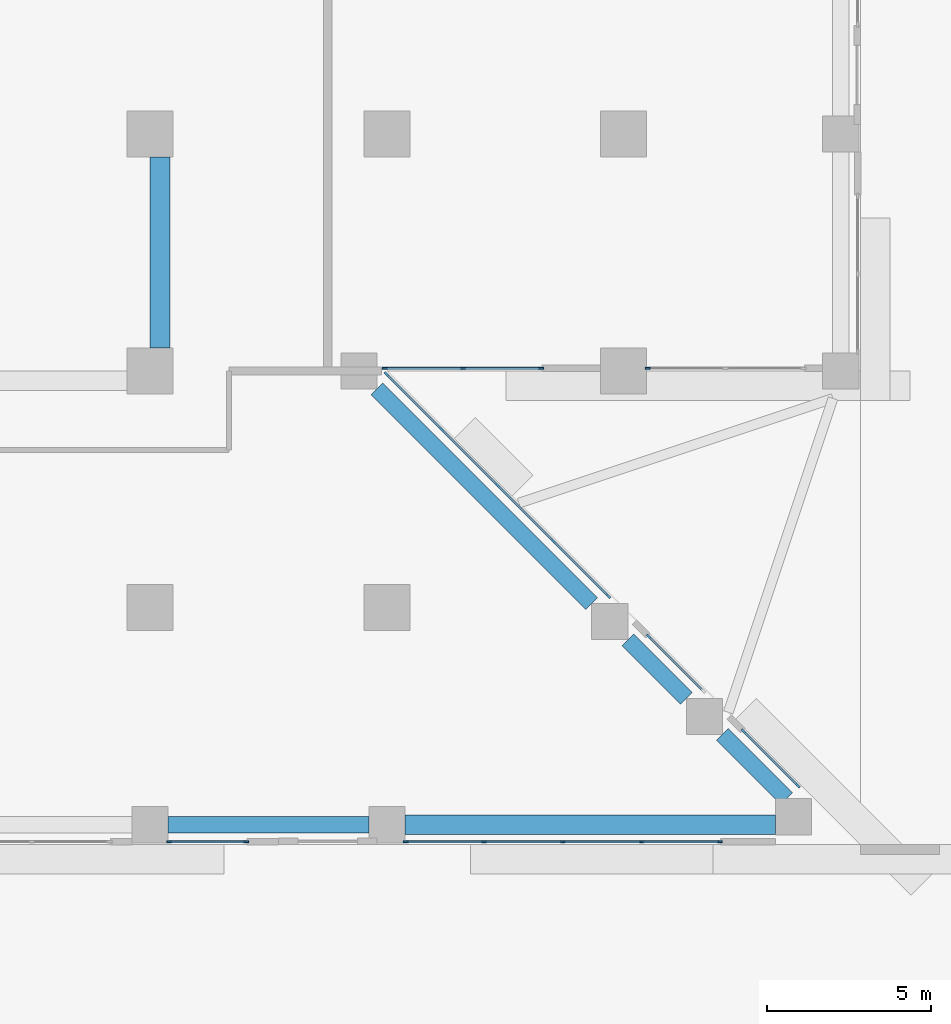
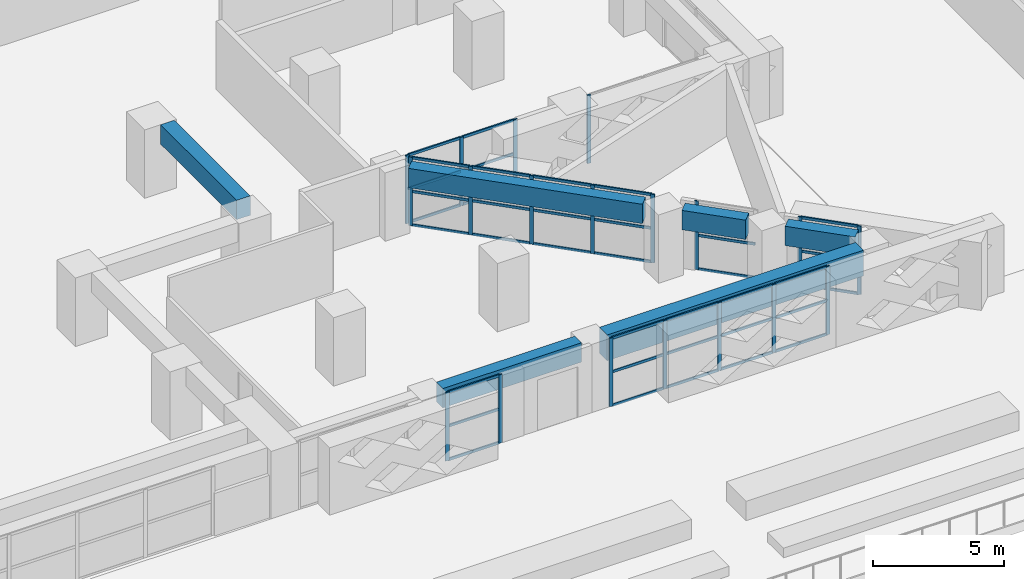
# One storey, part 7 of 24: 57 members, 6 beams, 7 elements without a shape of their own.
"""IFC4 building model written with IfcOpenShell, lengths in metres."""

from ifc_helpers import new_model, si_unit, direction, frame, origin, origin_2d, place, context, subcontext, project, spatial, rectangle, extrude, source, transform, mapped, material, layer, layer_set, material_profile, profile_set, type_object, element, aggregate, save


model = new_model("IFC4")

# Units and contexts
model_context = context("Model", 3, precision=1e-05, world=origin(), true_north=direction((0.0, 1.0)))
body_context = subcontext(model_context, "Body", "Model", "MODEL_VIEW")
ifc_project = project(units=[si_unit("LENGTHUNIT", "METRE"), si_unit("AREAUNIT", "SQUARE_METRE"), si_unit("VOLUMEUNIT", "CUBIC_METRE"), si_unit("PLANEANGLEUNIT", "RADIAN"), si_unit("MASSUNIT", "GRAM", prefix="KILO")], contexts=[model_context])

# Site, building, storey
site_placement = place(None, origin())
site = spatial("IfcSite", under=ifc_project, at=site_placement, CompositionType="ELEMENT")
building_placement = place(site_placement, origin())
building = spatial("IfcBuilding", under=site, at=building_placement, Name="Saffron Iwan Residences", CompositionType="ELEMENT")
storey_placement = place(building_placement, frame((0.0, 0.0, 27.0)))
storey = spatial("IfcBuildingStorey", under=building, at=storey_placement, Name="L05", CompositionType="ELEMENT", Elevation=27.0)

# Beams
ifc_material_1 = material(Name="Concrete C60/75", Category="concrete")
ifc_material_profile_1 = material_profile(ifc_material_1, rectangle(XDim=0.5, YDim=0.89990234375, at=origin_2d()), Name="RC 500x900")
ifc_profile_set_1 = profile_set([ifc_material_profile_1], Name="Concrete C60/75")
beam_type_1 = type_object("IfcBeamType", Name="SPANDREL BEAM RC 500x900 C60/75 TOP 3180", PredefinedType="SPANDREL", material=ifc_profile_set_1)
shared_shape_1 = source(origin(), body_context, "Body", "SweptSolid", [
    extrude(rectangle(XDim=0.5, YDim=0.89990234375, at=origin_2d()), origin(), (0.0, 0.0, 1.0), 6.099853515625),
])
beam_1_placement = place(storey_placement, frame((71.449951171875, 34.199951171875, 2.72998046875), z_axis=(-1.0, 0.0, 0.0), x_axis=(0.0, -1.0, 0.0)))
element("IfcBeam", 1, at=beam_1_placement, inside=storey, type_object=beam_type_1, Name="Spandrel beam", PredefinedType="SPANDREL", context=body_context, shape_type="MappedRepresentation", body=[
    mapped(shared_shape_1, transform((0.0, 0.0, 0.0))),
])
shared_shape_2 = source(origin(), body_context, "Body", "SweptSolid", [
    extrude(rectangle(XDim=0.5, YDim=0.89990234375, at=origin_2d()), origin(), (0.0, 0.0, 1.0), 2.76318359375),
])
beam_2_placement = place(storey_placement, frame((82.205810546875, 36.94580078125, 2.72998046875), z_axis=(0.707106781187, -0.707106781187, 0.0), x_axis=(0.707106781187, 0.707106781187, 0.0)))
element("IfcBeam", 2, at=beam_2_placement, inside=storey, type_object=beam_type_1, Name="Spandrel beam", PredefinedType="SPANDREL", context=body_context, shape_type="MappedRepresentation", body=[
    mapped(shared_shape_2, transform((0.0, 0.0, 0.0))),
])
shared_shape_3 = source(origin(), body_context, "Body", "SweptSolid", [
    extrude(rectangle(XDim=0.5, YDim=0.89990234375, at=origin_2d()), origin(), (0.0, 0.0, 1.0), 2.517333984375),
])
beam_3_placement = place(storey_placement, frame((79.32568359375, 39.82568359375, 2.72998046875), z_axis=(0.707106781187, -0.707106781187, 0.0), x_axis=(0.707106781187, 0.707106781187, 0.0)))
element("IfcBeam", 3, at=beam_3_placement, inside=storey, type_object=beam_type_1, Name="Spandrel beam", PredefinedType="SPANDREL", context=body_context, shape_type="MappedRepresentation", body=[
    mapped(shared_shape_3, transform((0.0, 0.0, 0.0))),
])
shared_shape_4 = source(origin(), body_context, "Body", "SweptSolid", [
    extrude(rectangle(XDim=0.5, YDim=0.89990234375, at=origin_2d()), origin(), (0.0, 0.0, 1.0), 9.228759765625),
])
beam_4_placement = place(storey_placement, frame((71.699951171875, 47.451416015625, 2.72998046875), z_axis=(0.707120008149, -0.707093553977, 0.0), x_axis=(0.707093553977, 0.707120008149, 0.0)))
element("IfcBeam", 4, at=beam_4_placement, inside=storey, type_object=beam_type_1, Name="Spandrel beam", PredefinedType="SPANDREL", context=body_context, shape_type="MappedRepresentation", body=[
    mapped(shared_shape_4, transform((0.0, 0.0, 0.0))),
])
ifc_material_profile_2 = material_profile(ifc_material_1, rectangle(XDim=0.60009765625, YDim=1.199951171875, at=origin_2d()), Name="RC 600x1200")
ifc_profile_set_2 = profile_set([ifc_material_profile_2], Name="Concrete C60/75")
beam_type_2 = type_object("IfcBeamType", Name="LINTEL BEAM RC 600x1200 C60/75 TOP 3180", PredefinedType="LINTEL", material=ifc_profile_set_2)
shared_shape_5 = source(origin(), body_context, "Body", "SweptSolid", [
    extrude(rectangle(XDim=0.60009765625, YDim=1.199951171875, at=origin_2d()), origin(), (0.0, 0.0, 1.0), 11.267333984375),
])
beam_5_placement = place(storey_placement, frame((83.8173828125, 34.199951171875, 2.580078125), z_axis=(-1.0, 0.0, 0.0), x_axis=(0.0, -1.0, 0.0)))
element("IfcBeam", 5, at=beam_5_placement, inside=storey, type_object=beam_type_2, Name="Lintel beam over the iwan", PredefinedType="LINTEL", context=body_context, shape_type="MappedRepresentation", body=[
    mapped(shared_shape_5, transform((0.0, 0.0, 0.0))),
])
ifc_material_profile_3 = material_profile(ifc_material_1, rectangle(XDim=0.60009765625, YDim=0.89990234375, at=origin_2d()), Name="RC 600x900")
ifc_profile_set_3 = profile_set([ifc_material_profile_3], Name="Concrete C60/75")
beam_type_3 = type_object("IfcBeamType", Name="BEAM RC 600x900 C60/75 TOP 3180", PredefinedType="BEAM", material=ifc_profile_set_3)
shared_shape_6 = source(origin(), body_context, "Body", "SweptSolid", [
    extrude(rectangle(XDim=0.60009765625, YDim=0.89990234375, at=origin_2d()), origin(), (0.0, 0.0, 1.0), 5.800048828125),
])
beam_6_placement = place(storey_placement, frame((65.10009765625, 54.5, 2.72998046875), z_axis=(0.0, -1.0, 0.0), x_axis=(1.0, 0.0, 0.0)))
element("IfcBeam", 6, at=beam_6_placement, inside=storey, type_object=beam_type_3, Name="Atrium edge beam", PredefinedType="BEAM", context=body_context, shape_type="MappedRepresentation", body=[
    mapped(shared_shape_6, transform((0.0, 0.0, 0.0))),
])

# Curtain wall, members
ifc_material_2 = material(Name="Clear glass, laminated double glazed", Category="glass")
ifc_layer = layer(ifc_material_2, 0.14990234375)
ifc_layer_set = layer_set([ifc_layer], Name="Clear glass, laminated double glazed")
curtain_wall_type = type_object("IfcCurtainWallType", Name="CW-D GARDEN FLOOR GLAZING", PredefinedType="NOTDEFINED", material=ifc_layer_set)
curtain_wall_1_placement = place(storey_placement, origin())
curtain_wall_1 = element("IfcCurtainWall", 7, at=curtain_wall_1_placement, inside=storey, type_object=curtain_wall_type, Name="Glazing L05 F0.1", PredefinedType="NOTDEFINED")
ifc_material_3 = material(Name="Aluminium 6063-T6", Category="aluminium")
ifc_material_profile_4 = material_profile(ifc_material_3, rectangle(XDim=0.06005859375, YDim=0.159912109375, at=origin_2d()), Name="CW-D MULLION 60 x 160")
ifc_profile_set_4 = profile_set([ifc_material_profile_4], Name="Aluminium 6063-T6")
member_type_1 = type_object("IfcMemberType", Name="CW-D MULLION 60 x 160", PredefinedType="MULLION", material=ifc_profile_set_4)
shared_shape_7 = source(origin(), body_context, "Body", "SweptSolid", [
    extrude(rectangle(XDim=0.06005859375, YDim=0.159912109375, at=origin_2d()), origin(), (0.0, 0.0, 1.0), 3.179931640625),
])
member_1_placement = place(storey_placement, frame((84.49609375, 35.390869140625, 0.0), z_axis=(0.0, 0.0, 1.0), x_axis=(-0.707106781187, -0.707106781187, 0.0)))
member_1 = element("IfcMember", 8, at=member_1_placement, type_object=member_type_1, Name="CW-D mullion 1", PredefinedType="MULLION", context=body_context, shape_type="MappedRepresentation", body=[
    mapped(shared_shape_7, transform((0.0, 0.0, 0.0))),
])
member_2_placement = place(storey_placement, frame((82.841552734375, 37.04541015625, 0.0), z_axis=(0.0, 0.0, 1.0), x_axis=(-0.707106781187, -0.707106781187, 0.0)))
member_2 = element("IfcMember", 9, at=member_2_placement, type_object=member_type_1, Name="CW-D mullion 2", PredefinedType="MULLION", context=body_context, shape_type="MappedRepresentation", body=[
    mapped(shared_shape_7, transform((0.0, 0.0, 0.0))),
])

# Curtain wall, member
curtain_wall_2_placement = place(storey_placement, origin())
curtain_wall_2 = element("IfcCurtainWall", 10, at=curtain_wall_2_placement, inside=storey, type_object=curtain_wall_type, Name="Glazing L05 F0.2", PredefinedType="NOTDEFINED")
member_3_placement = place(storey_placement, frame((79.958740234375, 39.92822265625, 0.0), z_axis=(0.0, 0.0, 1.0), x_axis=(-0.707106781187, -0.707106781187, 0.0)))
member_3 = element("IfcMember", 11, at=member_3_placement, type_object=member_type_1, Name="CW-D mullion 2", PredefinedType="MULLION", context=body_context, shape_type="MappedRepresentation", body=[
    mapped(shared_shape_7, transform((0.0, 0.0, 0.0))),
])

# Curtain wall, members
curtain_wall_3_placement = place(storey_placement, origin())
curtain_wall_3 = element("IfcCurtainWall", 12, at=curtain_wall_3_placement, inside=storey, type_object=curtain_wall_type, Name="Glazing L05 F0.3", PredefinedType="NOTDEFINED")
member_4_placement = place(storey_placement, frame((78.7333984375, 41.153564453125, 0.0), z_axis=(0.0, 0.0, 1.0), x_axis=(-0.707106781187, -0.707106781187, 0.0)))
member_4 = element("IfcMember", 13, at=member_4_placement, type_object=member_type_1, Name="CW-D mullion 1", PredefinedType="MULLION", context=body_context, shape_type="MappedRepresentation", body=[
    mapped(shared_shape_7, transform((0.0, 0.0, 0.0))),
])
member_5_placement = place(storey_placement, frame((77.057373046875, 42.829345703125, 0.0), z_axis=(0.0, 0.0, 1.0), x_axis=(-0.707106781187, -0.707106781187, 0.0)))
member_5 = element("IfcMember", 14, at=member_5_placement, type_object=member_type_1, Name="CW-D mullion 2", PredefinedType="MULLION", context=body_context, shape_type="MappedRepresentation", body=[
    mapped(shared_shape_7, transform((0.0, 0.0, 0.0))),
])
member_6_placement = place(storey_placement, frame((75.3603515625, 44.5263671875, 0.0), z_axis=(0.0, 0.0, 1.0), x_axis=(-0.707106781187, -0.707106781187, 0.0)))
member_6 = element("IfcMember", 15, at=member_6_placement, type_object=member_type_1, Name="CW-D mullion 3", PredefinedType="MULLION", context=body_context, shape_type="MappedRepresentation", body=[
    mapped(shared_shape_7, transform((0.0, 0.0, 0.0))),
])
member_7_placement = place(storey_placement, frame((73.663330078125, 46.223388671875, 0.0), z_axis=(0.0, 0.0, 1.0), x_axis=(-0.707106781187, -0.707106781187, 0.0)))
member_7 = element("IfcMember", 16, at=member_7_placement, type_object=member_type_1, Name="CW-D mullion 4", PredefinedType="MULLION", context=body_context, shape_type="MappedRepresentation", body=[
    mapped(shared_shape_7, transform((0.0, 0.0, 0.0))),
])
member_8_placement = place(storey_placement, frame((71.987548828125, 47.8994140625, 0.0), z_axis=(0.0, 0.0, 1.0), x_axis=(-0.707106781187, -0.707106781187, 0.0)))
member_8 = element("IfcMember", 17, at=member_8_placement, type_object=member_type_1, Name="CW-D mullion 5", PredefinedType="MULLION", context=body_context, shape_type="MappedRepresentation", body=[
    mapped(shared_shape_7, transform((0.0, 0.0, 0.0))),
])

curtain_wall_4_placement = place(storey_placement, origin())
curtain_wall_4 = element("IfcCurtainWall", 18, at=curtain_wall_4_placement, inside=storey, type_object=curtain_wall_type, Name="Glazing L05 F1.0", PredefinedType="NOTDEFINED")
member_9_placement = place(storey_placement, frame((71.947021484375, 48.080078125, 0.0), z_axis=(0.0, 0.0, 1.0), x_axis=(0.0, 1.0, 0.0)))
member_9 = element("IfcMember", 19, at=member_9_placement, type_object=member_type_1, Name="CW-D mullion 1", PredefinedType="MULLION", context=body_context, shape_type="MappedRepresentation", body=[
    mapped(shared_shape_7, transform((0.0, 0.0, 0.0))),
])
member_10_placement = place(storey_placement, frame((74.31689453125, 48.080078125, 0.0), z_axis=(0.0, 0.0, 1.0), x_axis=(0.0, 1.0, 0.0)))
member_10 = element("IfcMember", 20, at=member_10_placement, type_object=member_type_1, Name="CW-D mullion 2", PredefinedType="MULLION", context=body_context, shape_type="MappedRepresentation", body=[
    mapped(shared_shape_7, transform((0.0, 0.0, 0.0))),
])
member_11_placement = place(storey_placement, frame((76.68701171875, 48.080078125, 0.0), z_axis=(0.0, 0.0, 1.0), x_axis=(0.0, 1.0, 0.0)))
member_11 = element("IfcMember", 21, at=member_11_placement, type_object=member_type_1, Name="CW-D mullion 3", PredefinedType="MULLION", context=body_context, shape_type="MappedRepresentation", body=[
    mapped(shared_shape_7, transform((0.0, 0.0, 0.0))),
])

# Curtain wall, member
curtain_wall_5_placement = place(storey_placement, origin())
curtain_wall_5 = element("IfcCurtainWall", 22, at=curtain_wall_5_placement, inside=storey, type_object=curtain_wall_type, Name="Glazing L05 F1.1", PredefinedType="NOTDEFINED")
member_12_placement = place(storey_placement, frame((79.929931640625, 48.080078125, 0.0), z_axis=(0.0, 0.0, 1.0), x_axis=(0.0, 1.0, 0.0)))
member_12 = element("IfcMember", 23, at=member_12_placement, type_object=member_type_1, Name="CW-D mullion 1", PredefinedType="MULLION", context=body_context, shape_type="MappedRepresentation", body=[
    mapped(shared_shape_7, transform((0.0, 0.0, 0.0))),
])
aggregate(curtain_wall_5, [member_12])

# Curtain wall, members
curtain_wall_6_placement = place(storey_placement, origin())
curtain_wall_6 = element("IfcCurtainWall", 24, at=curtain_wall_6_placement, inside=storey, type_object=curtain_wall_type, Name="Glazing L05 F11.5", PredefinedType="NOTDEFINED")
member_13_placement = place(storey_placement, frame((65.3798828125, 33.679931640625, 0.0), z_axis=(0.0, 0.0, 1.0), x_axis=(0.0, 1.0, 0.0)))
member_13 = element("IfcMember", 25, at=member_13_placement, type_object=member_type_1, Name="CW-D mullion 1", PredefinedType="MULLION", context=body_context, shape_type="MappedRepresentation", body=[
    mapped(shared_shape_7, transform((0.0, 0.0, 0.0))),
])
member_14_placement = place(storey_placement, frame((67.719970703125, 33.679931640625, 0.0), z_axis=(0.0, 0.0, 1.0), x_axis=(0.0, 1.0, 0.0)))
member_14 = element("IfcMember", 26, at=member_14_placement, type_object=member_type_1, Name="CW-D mullion 2", PredefinedType="MULLION", context=body_context, shape_type="MappedRepresentation", body=[
    mapped(shared_shape_7, transform((0.0, 0.0, 0.0))),
])

curtain_wall_7_placement = place(storey_placement, origin())
curtain_wall_7 = element("IfcCurtainWall", 27, at=curtain_wall_7_placement, inside=storey, type_object=curtain_wall_type, Name="Glazing L05 F11.6", PredefinedType="NOTDEFINED")
member_15_placement = place(storey_placement, frame((72.580078125, 33.679931640625, 0.0), z_axis=(0.0, 0.0, 1.0), x_axis=(0.0, 1.0, 0.0)))
member_15 = element("IfcMember", 28, at=member_15_placement, type_object=member_type_1, Name="CW-D mullion 1", PredefinedType="MULLION", context=body_context, shape_type="MappedRepresentation", body=[
    mapped(shared_shape_7, transform((0.0, 0.0, 0.0))),
])
member_16_placement = place(storey_placement, frame((74.949951171875, 33.679931640625, 0.0), z_axis=(0.0, 0.0, 1.0), x_axis=(0.0, 1.0, 0.0)))
member_16 = element("IfcMember", 29, at=member_16_placement, type_object=member_type_1, Name="CW-D mullion 2", PredefinedType="MULLION", context=body_context, shape_type="MappedRepresentation", body=[
    mapped(shared_shape_7, transform((0.0, 0.0, 0.0))),
])
member_17_placement = place(storey_placement, frame((77.35009765625, 33.679931640625, 0.0), z_axis=(0.0, 0.0, 1.0), x_axis=(0.0, 1.0, 0.0)))
member_17 = element("IfcMember", 30, at=member_17_placement, type_object=member_type_1, Name="CW-D mullion 3", PredefinedType="MULLION", context=body_context, shape_type="MappedRepresentation", body=[
    mapped(shared_shape_7, transform((0.0, 0.0, 0.0))),
])
member_18_placement = place(storey_placement, frame((79.75, 33.679931640625, 0.0), z_axis=(0.0, 0.0, 1.0), x_axis=(0.0, 1.0, 0.0)))
member_18 = element("IfcMember", 31, at=member_18_placement, type_object=member_type_1, Name="CW-D mullion 4", PredefinedType="MULLION", context=body_context, shape_type="MappedRepresentation", body=[
    mapped(shared_shape_7, transform((0.0, 0.0, 0.0))),
])
member_19_placement = place(storey_placement, frame((82.1201171875, 33.679931640625, 0.0), z_axis=(0.0, 0.0, 1.0), x_axis=(0.0, 1.0, 0.0)))
member_19 = element("IfcMember", 32, at=member_19_placement, type_object=member_type_1, Name="CW-D mullion 5", PredefinedType="MULLION", context=body_context, shape_type="MappedRepresentation", body=[
    mapped(shared_shape_7, transform((0.0, 0.0, 0.0))),
])

# Member
ifc_material_profile_5 = material_profile(ifc_material_3, rectangle(XDim=0.06005859375, YDim=0.1201171875, at=origin_2d()), Name="CW-D TRANSOM 60 x 120")
ifc_profile_set_5 = profile_set([ifc_material_profile_5], Name="Aluminium 6063-T6")
member_type_2 = type_object("IfcMemberType", Name="CW-D TRANSOM 60 x 120", PredefinedType="USERDEFINED", material=ifc_profile_set_5)
shared_shape_8 = source(origin(), body_context, "Body", "SweptSolid", [
    extrude(rectangle(XDim=0.06005859375, YDim=0.1201171875, at=origin_2d()), origin(), (0.0, 0.0, 1.0), 2.280029296875),
])
member_20_placement = place(storey_placement, frame((84.474853515625, 35.411865234375, 0.030029296875), z_axis=(-0.707053238857, 0.707160319462, 0.0), x_axis=(-0.707160319462, -0.707053238857, 0.0)))
member_20 = element("IfcMember", 33, at=member_20_placement, type_object=member_type_2, Name="CW-D transom 1.1", ObjectType="TRANSOM", PredefinedType="USERDEFINED", context=body_context, shape_type="MappedRepresentation", body=[
    mapped(shared_shape_8, transform((0.0, 0.0, 0.0))),
])

member_21_placement = place(storey_placement, frame((84.474853515625, 35.411865234375, 1.590087890625), z_axis=(-0.707053238857, 0.707160319462, 0.0), x_axis=(-0.707160319462, -0.707053238857, 0.0)))
member_21 = element("IfcMember", 34, at=member_21_placement, type_object=member_type_2, Name="CW-D transom 1.2", ObjectType="TRANSOM", PredefinedType="USERDEFINED", context=body_context, shape_type="MappedRepresentation", body=[
    mapped(shared_shape_8, transform((0.0, 0.0, 0.0))),
])

member_22_placement = place(storey_placement, frame((84.474853515625, 35.411865234375, 3.14990234375), z_axis=(-0.707053238857, 0.707160319462, 0.0), x_axis=(-0.707160319462, -0.707053238857, 0.0)))
member_22 = element("IfcMember", 35, at=member_22_placement, type_object=member_type_2, Name="CW-D transom 1.3", ObjectType="TRANSOM", PredefinedType="USERDEFINED", context=body_context, shape_type="MappedRepresentation", body=[
    mapped(shared_shape_8, transform((0.0, 0.0, 0.0))),
])

aggregate(curtain_wall_1, [member_1, member_2, member_20, member_21, member_22])

member_23_placement = place(storey_placement, frame((81.592041015625, 38.294677734375, 0.030029296875), z_axis=(-0.707053238857, 0.707160319462, 0.0), x_axis=(-0.707160319462, -0.707053238857, 0.0)))
member_23 = element("IfcMember", 36, at=member_23_placement, type_object=member_type_2, Name="CW-D transom 1.1", ObjectType="TRANSOM", PredefinedType="USERDEFINED", context=body_context, shape_type="MappedRepresentation", body=[
    mapped(shared_shape_8, transform((0.0, 0.0, 0.0))),
])

member_24_placement = place(storey_placement, frame((81.592041015625, 38.294677734375, 1.590087890625), z_axis=(-0.707053238857, 0.707160319462, 0.0), x_axis=(-0.707160319462, -0.707053238857, 0.0)))
member_24 = element("IfcMember", 37, at=member_24_placement, type_object=member_type_2, Name="CW-D transom 1.2", ObjectType="TRANSOM", PredefinedType="USERDEFINED", context=body_context, shape_type="MappedRepresentation", body=[
    mapped(shared_shape_8, transform((0.0, 0.0, 0.0))),
])

aggregate(curtain_wall_2, [member_3, member_23, member_24])

member_25_placement = place(storey_placement, frame((65.409912109375, 33.679931640625, 0.030029296875), z_axis=(1.0, 0.0, 0.0), x_axis=(0.0, 1.0, 0.0)))
member_25 = element("IfcMember", 38, at=member_25_placement, type_object=member_type_2, Name="CW-D transom 1.1", ObjectType="TRANSOM", PredefinedType="USERDEFINED", context=body_context, shape_type="MappedRepresentation", body=[
    mapped(shared_shape_8, transform((0.0, 0.0, 0.0))),
])

member_26_placement = place(storey_placement, frame((65.409912109375, 33.679931640625, 1.590087890625), z_axis=(1.0, 0.0, 0.0), x_axis=(0.0, 1.0, 0.0)))
member_26 = element("IfcMember", 39, at=member_26_placement, type_object=member_type_2, Name="CW-D transom 1.2", ObjectType="TRANSOM", PredefinedType="USERDEFINED", context=body_context, shape_type="MappedRepresentation", body=[
    mapped(shared_shape_8, transform((0.0, 0.0, 0.0))),
])

member_27_placement = place(storey_placement, frame((65.409912109375, 33.679931640625, 3.14990234375), z_axis=(1.0, 0.0, 0.0), x_axis=(0.0, 1.0, 0.0)))
member_27 = element("IfcMember", 40, at=member_27_placement, type_object=member_type_2, Name="CW-D transom 1.3", ObjectType="TRANSOM", PredefinedType="USERDEFINED", context=body_context, shape_type="MappedRepresentation", body=[
    mapped(shared_shape_8, transform((0.0, 0.0, 0.0))),
])

aggregate(curtain_wall_6, [member_13, member_14, member_25, member_26, member_27])

shared_shape_9 = source(origin(), body_context, "Body", "SweptSolid", [
    extrude(rectangle(XDim=0.06005859375, YDim=0.1201171875, at=origin_2d()), origin(), (0.0, 0.0, 1.0), 2.31005859375),
])
member_28_placement = place(storey_placement, frame((78.712158203125, 41.1748046875, 0.030029296875), z_axis=(-0.707159623303, 0.707053935121, 0.0), x_axis=(-0.707053935121, -0.707159623303, 0.0)))
member_28 = element("IfcMember", 41, at=member_28_placement, type_object=member_type_2, Name="CW-D transom 1.1", ObjectType="TRANSOM", PredefinedType="USERDEFINED", context=body_context, shape_type="MappedRepresentation", body=[
    mapped(shared_shape_9, transform((0.0, 0.0, 0.0))),
])

member_29_placement = place(storey_placement, frame((78.712158203125, 41.1748046875, 1.590087890625), z_axis=(-0.707159623303, 0.707053935121, 0.0), x_axis=(-0.707053935121, -0.707159623303, 0.0)))
member_29 = element("IfcMember", 42, at=member_29_placement, type_object=member_type_2, Name="CW-D transom 1.2", ObjectType="TRANSOM", PredefinedType="USERDEFINED", context=body_context, shape_type="MappedRepresentation", body=[
    mapped(shared_shape_9, transform((0.0, 0.0, 0.0))),
])

member_30_placement = place(storey_placement, frame((78.712158203125, 41.1748046875, 3.14990234375), z_axis=(-0.707159623303, 0.707053935121, 0.0), x_axis=(-0.707053935121, -0.707159623303, 0.0)))
member_30 = element("IfcMember", 43, at=member_30_placement, type_object=member_type_2, Name="CW-D transom 1.3", ObjectType="TRANSOM", PredefinedType="USERDEFINED", context=body_context, shape_type="MappedRepresentation", body=[
    mapped(shared_shape_9, transform((0.0, 0.0, 0.0))),
])

member_31_placement = place(storey_placement, frame((73.64208984375, 46.24462890625, 0.030029296875), z_axis=(-0.707053935121, 0.707159623303, 0.0), x_axis=(-0.707159623303, -0.707053935121, 0.0)))
member_31 = element("IfcMember", 44, at=member_31_placement, type_object=member_type_2, Name="CW-D transom 4.1", ObjectType="TRANSOM", PredefinedType="USERDEFINED", context=body_context, shape_type="MappedRepresentation", body=[
    mapped(shared_shape_9, transform((0.0, 0.0, 0.0))),
])

member_32_placement = place(storey_placement, frame((73.64208984375, 46.24462890625, 1.590087890625), z_axis=(-0.707053935121, 0.707159623303, 0.0), x_axis=(-0.707159623303, -0.707053935121, 0.0)))
member_32 = element("IfcMember", 45, at=member_32_placement, type_object=member_type_2, Name="CW-D transom 4.2", ObjectType="TRANSOM", PredefinedType="USERDEFINED", context=body_context, shape_type="MappedRepresentation", body=[
    mapped(shared_shape_9, transform((0.0, 0.0, 0.0))),
])

member_33_placement = place(storey_placement, frame((73.64208984375, 46.24462890625, 3.14990234375), z_axis=(-0.707053935121, 0.707159623303, 0.0), x_axis=(-0.707159623303, -0.707053935121, 0.0)))
member_33 = element("IfcMember", 46, at=member_33_placement, type_object=member_type_2, Name="CW-D transom 4.3", ObjectType="TRANSOM", PredefinedType="USERDEFINED", context=body_context, shape_type="MappedRepresentation", body=[
    mapped(shared_shape_9, transform((0.0, 0.0, 0.0))),
])

member_34_placement = place(storey_placement, frame((71.976806640625, 48.080078125, 0.030029296875), z_axis=(1.0, 0.0, 0.0), x_axis=(0.0, 1.0, 0.0)))
member_34 = element("IfcMember", 47, at=member_34_placement, type_object=member_type_2, Name="CW-D transom 1.1", ObjectType="TRANSOM", PredefinedType="USERDEFINED", context=body_context, shape_type="MappedRepresentation", body=[
    mapped(shared_shape_9, transform((0.0, 0.0, 0.0))),
])

member_35_placement = place(storey_placement, frame((71.976806640625, 48.080078125, 1.590087890625), z_axis=(1.0, 0.0, 0.0), x_axis=(0.0, 1.0, 0.0)))
member_35 = element("IfcMember", 48, at=member_35_placement, type_object=member_type_2, Name="CW-D transom 1.2", ObjectType="TRANSOM", PredefinedType="USERDEFINED", context=body_context, shape_type="MappedRepresentation", body=[
    mapped(shared_shape_9, transform((0.0, 0.0, 0.0))),
])

member_36_placement = place(storey_placement, frame((71.976806640625, 48.080078125, 3.14990234375), z_axis=(1.0, 0.0, 0.0), x_axis=(0.0, 1.0, 0.0)))
member_36 = element("IfcMember", 49, at=member_36_placement, type_object=member_type_2, Name="CW-D transom 1.3", ObjectType="TRANSOM", PredefinedType="USERDEFINED", context=body_context, shape_type="MappedRepresentation", body=[
    mapped(shared_shape_9, transform((0.0, 0.0, 0.0))),
])

member_37_placement = place(storey_placement, frame((74.346923828125, 48.080078125, 0.030029296875), z_axis=(1.0, 0.0, 0.0), x_axis=(0.0, 1.0, 0.0)))
member_37 = element("IfcMember", 50, at=member_37_placement, type_object=member_type_2, Name="CW-D transom 2.1", ObjectType="TRANSOM", PredefinedType="USERDEFINED", context=body_context, shape_type="MappedRepresentation", body=[
    mapped(shared_shape_9, transform((0.0, 0.0, 0.0))),
])

member_38_placement = place(storey_placement, frame((74.346923828125, 48.080078125, 1.590087890625), z_axis=(1.0, 0.0, 0.0), x_axis=(0.0, 1.0, 0.0)))
member_38 = element("IfcMember", 51, at=member_38_placement, type_object=member_type_2, Name="CW-D transom 2.2", ObjectType="TRANSOM", PredefinedType="USERDEFINED", context=body_context, shape_type="MappedRepresentation", body=[
    mapped(shared_shape_9, transform((0.0, 0.0, 0.0))),
])

member_39_placement = place(storey_placement, frame((74.346923828125, 48.080078125, 3.14990234375), z_axis=(1.0, 0.0, 0.0), x_axis=(0.0, 1.0, 0.0)))
member_39 = element("IfcMember", 52, at=member_39_placement, type_object=member_type_2, Name="CW-D transom 2.3", ObjectType="TRANSOM", PredefinedType="USERDEFINED", context=body_context, shape_type="MappedRepresentation", body=[
    mapped(shared_shape_9, transform((0.0, 0.0, 0.0))),
])

aggregate(curtain_wall_4, [member_9, member_10, member_11, member_34, member_35, member_36, member_37, member_38, member_39])

member_40_placement = place(storey_placement, frame((79.780029296875, 33.679931640625, 0.030029296875), z_axis=(1.0, 0.0, 0.0), x_axis=(0.0, 1.0, 0.0)))
member_40 = element("IfcMember", 53, at=member_40_placement, type_object=member_type_2, Name="CW-D transom 4.1", ObjectType="TRANSOM", PredefinedType="USERDEFINED", context=body_context, shape_type="MappedRepresentation", body=[
    mapped(shared_shape_9, transform((0.0, 0.0, 0.0))),
])

member_41_placement = place(storey_placement, frame((79.780029296875, 33.679931640625, 1.590087890625), z_axis=(1.0, 0.0, 0.0), x_axis=(0.0, 1.0, 0.0)))
member_41 = element("IfcMember", 54, at=member_41_placement, type_object=member_type_2, Name="CW-D transom 4.2", ObjectType="TRANSOM", PredefinedType="USERDEFINED", context=body_context, shape_type="MappedRepresentation", body=[
    mapped(shared_shape_9, transform((0.0, 0.0, 0.0))),
])

member_42_placement = place(storey_placement, frame((79.780029296875, 33.679931640625, 3.14990234375), z_axis=(1.0, 0.0, 0.0), x_axis=(0.0, 1.0, 0.0)))
member_42 = element("IfcMember", 55, at=member_42_placement, type_object=member_type_2, Name="CW-D transom 4.3", ObjectType="TRANSOM", PredefinedType="USERDEFINED", context=body_context, shape_type="MappedRepresentation", body=[
    mapped(shared_shape_9, transform((0.0, 0.0, 0.0))),
])

shared_shape_10 = source(origin(), body_context, "Body", "SweptSolid", [
    extrude(rectangle(XDim=0.06005859375, YDim=0.1201171875, at=origin_2d()), origin(), (0.0, 0.0, 1.0), 2.340087890625),
])
member_43_placement = place(storey_placement, frame((77.036376953125, 42.8505859375, 0.030029296875), z_axis=(-0.707158945015, 0.70705461351, 0.0), x_axis=(-0.70705461351, -0.707158945015, 0.0)))
member_43 = element("IfcMember", 56, at=member_43_placement, type_object=member_type_2, Name="CW-D transom 2.1", ObjectType="TRANSOM", PredefinedType="USERDEFINED", context=body_context, shape_type="MappedRepresentation", body=[
    mapped(shared_shape_10, transform((0.0, 0.0, 0.0))),
])

member_44_placement = place(storey_placement, frame((77.036376953125, 42.8505859375, 1.590087890625), z_axis=(-0.707158945015, 0.70705461351, 0.0), x_axis=(-0.70705461351, -0.707158945015, 0.0)))
member_44 = element("IfcMember", 57, at=member_44_placement, type_object=member_type_2, Name="CW-D transom 2.2", ObjectType="TRANSOM", PredefinedType="USERDEFINED", context=body_context, shape_type="MappedRepresentation", body=[
    mapped(shared_shape_10, transform((0.0, 0.0, 0.0))),
])

member_45_placement = place(storey_placement, frame((77.036376953125, 42.8505859375, 3.14990234375), z_axis=(-0.707158945015, 0.70705461351, 0.0), x_axis=(-0.70705461351, -0.707158945015, 0.0)))
member_45 = element("IfcMember", 58, at=member_45_placement, type_object=member_type_2, Name="CW-D transom 2.3", ObjectType="TRANSOM", PredefinedType="USERDEFINED", context=body_context, shape_type="MappedRepresentation", body=[
    mapped(shared_shape_10, transform((0.0, 0.0, 0.0))),
])

member_46_placement = place(storey_placement, frame((74.97998046875, 33.679931640625, 0.030029296875), z_axis=(1.0, 0.0, 0.0), x_axis=(0.0, 1.0, 0.0)))
member_46 = element("IfcMember", 59, at=member_46_placement, type_object=member_type_2, Name="CW-D transom 2.1", ObjectType="TRANSOM", PredefinedType="USERDEFINED", context=body_context, shape_type="MappedRepresentation", body=[
    mapped(shared_shape_10, transform((0.0, 0.0, 0.0))),
])

member_47_placement = place(storey_placement, frame((74.97998046875, 33.679931640625, 1.590087890625), z_axis=(1.0, 0.0, 0.0), x_axis=(0.0, 1.0, 0.0)))
member_47 = element("IfcMember", 60, at=member_47_placement, type_object=member_type_2, Name="CW-D transom 2.2", ObjectType="TRANSOM", PredefinedType="USERDEFINED", context=body_context, shape_type="MappedRepresentation", body=[
    mapped(shared_shape_10, transform((0.0, 0.0, 0.0))),
])

member_48_placement = place(storey_placement, frame((74.97998046875, 33.679931640625, 3.14990234375), z_axis=(1.0, 0.0, 0.0), x_axis=(0.0, 1.0, 0.0)))
member_48 = element("IfcMember", 61, at=member_48_placement, type_object=member_type_2, Name="CW-D transom 2.3", ObjectType="TRANSOM", PredefinedType="USERDEFINED", context=body_context, shape_type="MappedRepresentation", body=[
    mapped(shared_shape_10, transform((0.0, 0.0, 0.0))),
])

member_49_placement = place(storey_placement, frame((77.3798828125, 33.679931640625, 0.030029296875), z_axis=(1.0, 0.0, 0.0), x_axis=(0.0, 1.0, 0.0)))
member_49 = element("IfcMember", 62, at=member_49_placement, type_object=member_type_2, Name="CW-D transom 3.1", ObjectType="TRANSOM", PredefinedType="USERDEFINED", context=body_context, shape_type="MappedRepresentation", body=[
    mapped(shared_shape_10, transform((0.0, 0.0, 0.0))),
])

member_50_placement = place(storey_placement, frame((77.3798828125, 33.679931640625, 1.590087890625), z_axis=(1.0, 0.0, 0.0), x_axis=(0.0, 1.0, 0.0)))
member_50 = element("IfcMember", 63, at=member_50_placement, type_object=member_type_2, Name="CW-D transom 3.2", ObjectType="TRANSOM", PredefinedType="USERDEFINED", context=body_context, shape_type="MappedRepresentation", body=[
    mapped(shared_shape_10, transform((0.0, 0.0, 0.0))),
])

member_51_placement = place(storey_placement, frame((77.3798828125, 33.679931640625, 3.14990234375), z_axis=(1.0, 0.0, 0.0), x_axis=(0.0, 1.0, 0.0)))
member_51 = element("IfcMember", 64, at=member_51_placement, type_object=member_type_2, Name="CW-D transom 3.3", ObjectType="TRANSOM", PredefinedType="USERDEFINED", context=body_context, shape_type="MappedRepresentation", body=[
    mapped(shared_shape_10, transform((0.0, 0.0, 0.0))),
])

shared_shape_11 = source(origin(), body_context, "Body", "SweptSolid", [
    extrude(rectangle(XDim=0.06005859375, YDim=0.1201171875, at=origin_2d()), origin(), (0.0, 0.0, 1.0), 2.33984375),
])
member_52_placement = place(storey_placement, frame((75.339111328125, 44.547607421875, 0.030029296875), z_axis=(-0.707106781187, 0.707106781187, 0.0), x_axis=(-0.707106781187, -0.707106781187, 0.0)))
member_52 = element("IfcMember", 65, at=member_52_placement, type_object=member_type_2, Name="CW-D transom 3.1", ObjectType="TRANSOM", PredefinedType="USERDEFINED", context=body_context, shape_type="MappedRepresentation", body=[
    mapped(shared_shape_11, transform((0.0, 0.0, 0.0))),
])

member_53_placement = place(storey_placement, frame((75.339111328125, 44.547607421875, 1.590087890625), z_axis=(-0.707106781187, 0.707106781187, 0.0), x_axis=(-0.707106781187, -0.707106781187, 0.0)))
member_53 = element("IfcMember", 66, at=member_53_placement, type_object=member_type_2, Name="CW-D transom 3.2", ObjectType="TRANSOM", PredefinedType="USERDEFINED", context=body_context, shape_type="MappedRepresentation", body=[
    mapped(shared_shape_11, transform((0.0, 0.0, 0.0))),
])

member_54_placement = place(storey_placement, frame((75.339111328125, 44.547607421875, 3.14990234375), z_axis=(-0.707106781187, 0.707106781187, 0.0), x_axis=(-0.707106781187, -0.707106781187, 0.0)))
member_54 = element("IfcMember", 67, at=member_54_placement, type_object=member_type_2, Name="CW-D transom 3.3", ObjectType="TRANSOM", PredefinedType="USERDEFINED", context=body_context, shape_type="MappedRepresentation", body=[
    mapped(shared_shape_11, transform((0.0, 0.0, 0.0))),
])

aggregate(curtain_wall_3, [member_4, member_5, member_6, member_7, member_8, member_28, member_29, member_30, member_43, member_44, member_45, member_52, member_53, member_54, member_31, member_32, member_33])

shared_shape_12 = source(origin(), body_context, "Body", "SweptSolid", [
    extrude(rectangle(XDim=0.06005859375, YDim=0.1201171875, at=origin_2d()), origin(), (0.0, 0.0, 1.0), 2.309814453125),
])
member_55_placement = place(storey_placement, frame((72.610107421875, 33.679931640625, 0.030029296875), z_axis=(1.0, 0.0, 0.0), x_axis=(0.0, 1.0, 0.0)))
member_55 = element("IfcMember", 68, at=member_55_placement, type_object=member_type_2, Name="CW-D transom 1.1", ObjectType="TRANSOM", PredefinedType="USERDEFINED", context=body_context, shape_type="MappedRepresentation", body=[
    mapped(shared_shape_12, transform((0.0, 0.0, 0.0))),
])

member_56_placement = place(storey_placement, frame((72.610107421875, 33.679931640625, 1.590087890625), z_axis=(1.0, 0.0, 0.0), x_axis=(0.0, 1.0, 0.0)))
member_56 = element("IfcMember", 69, at=member_56_placement, type_object=member_type_2, Name="CW-D transom 1.2", ObjectType="TRANSOM", PredefinedType="USERDEFINED", context=body_context, shape_type="MappedRepresentation", body=[
    mapped(shared_shape_12, transform((0.0, 0.0, 0.0))),
])

member_57_placement = place(storey_placement, frame((72.610107421875, 33.679931640625, 3.14990234375), z_axis=(1.0, 0.0, 0.0), x_axis=(0.0, 1.0, 0.0)))
member_57 = element("IfcMember", 70, at=member_57_placement, type_object=member_type_2, Name="CW-D transom 1.3", ObjectType="TRANSOM", PredefinedType="USERDEFINED", context=body_context, shape_type="MappedRepresentation", body=[
    mapped(shared_shape_12, transform((0.0, 0.0, 0.0))),
])

aggregate(curtain_wall_7, [member_15, member_16, member_17, member_18, member_19, member_55, member_56, member_57, member_46, member_47, member_48, member_49, member_50, member_51, member_40, member_41, member_42])

save(model, "model.ifc")
